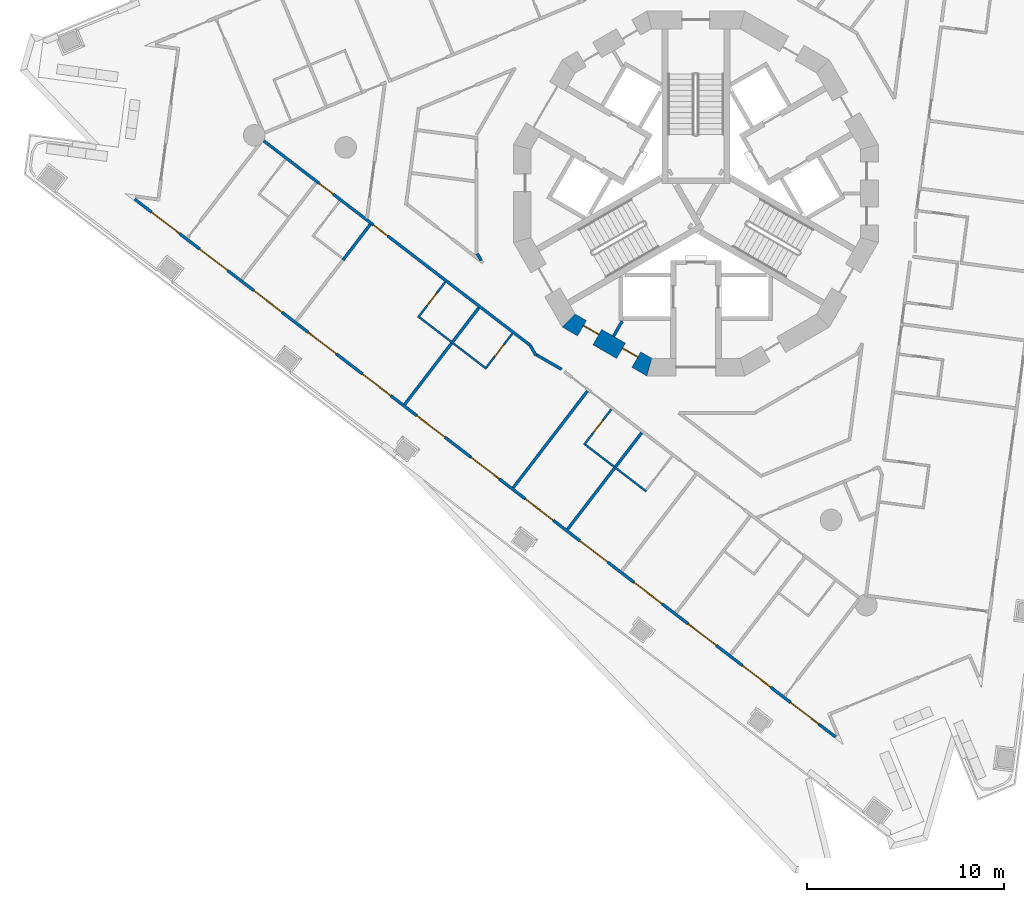
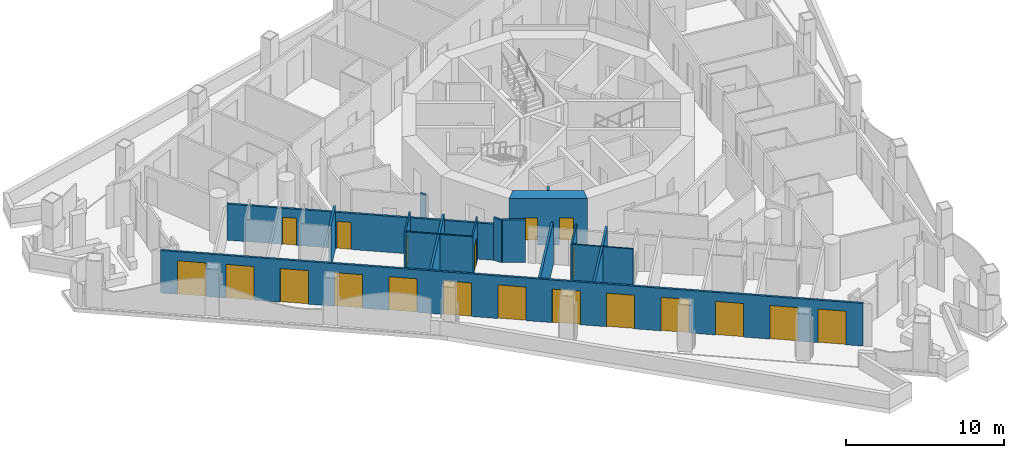
# One storey, part 2 of 19: 20 doors, 18 walls, 20 openings.
"""IFC4 building model written with IfcOpenShell, lengths in metres."""

from ifc_helpers import new_model, si_unit, direction, frame, frame_2d, origin, place, context, subcontext, project, spatial, polyline, rectangle, outline, extrude, material, layer, layer_set, type_object, element, fill, save


model = new_model("IFC4")

# Units and contexts
model_context = context("Model", 3, precision=1e-05, world=origin(), true_north=direction((0.0, 1.0)))
body_context = subcontext(model_context, "Body", "Model", "MODEL_VIEW")
ifc_project = project(units=[si_unit("LENGTHUNIT", "METRE"), si_unit("AREAUNIT", "SQUARE_METRE"), si_unit("VOLUMEUNIT", "CUBIC_METRE"), si_unit("PLANEANGLEUNIT", "RADIAN"), si_unit("MASSUNIT", "GRAM", prefix="KILO")], contexts=[model_context])

# Site, building, storey
site_placement = place(None, origin())
site = spatial("IfcSite", under=ifc_project, at=site_placement, CompositionType="ELEMENT")
building_placement = place(site_placement, origin())
building = spatial("IfcBuilding", under=site, at=building_placement, Name="Trine Commons Tower", CompositionType="ELEMENT")
storey_placement = place(building_placement, frame((0.0, 0.0, 124.199951171875)))
storey = spatial("IfcBuildingStorey", under=building, at=storey_placement, Name="L31", CompositionType="ELEMENT", Elevation=124.199951171875)

# Wall
ifc_material_1 = material(Name="Plasterboard partition on steel studs", Category="steel")
ifc_layer_1 = layer(ifc_material_1, 0.14990234375)
ifc_layer_set_1 = layer_set([ifc_layer_1], Name="Plasterboard partition on steel studs")
wall_type_1 = type_object("IfcWallType", Name="Core room partition 150 mm, EI 60", PredefinedType="PARTITIONING", material=ifc_layer_set_1)
wall_1_placement = place(storey_placement, frame((75.81396484375, 55.2490234375, 0.0), z_axis=(0.0, 0.0, 1.0), x_axis=(0.499890179513, 0.866088799389, 0.0)))
element("IfcWall", 1, at=wall_1_placement, inside=storey, type_object=wall_type_1, Name="Core room partition L31", PredefinedType="PARTITIONING", context=body_context, shape_type="SweptSolid", body=[
    extrude(rectangle(XDim=0.882080078125, YDim=0.14990234375, at=frame_2d((0.44091796875, 0.0))), origin(), (0.0, 0.0, 1.0), 3.300048828125),
])

# Wall, openings, doors
ifc_material_2 = material(Name="Aluminium-framed insulated wall panel", Category="aluminium")
ifc_layer_2 = layer(ifc_material_2, 0.14990234375)
ifc_layer_set_2 = layer_set([ifc_layer_2], Name="Aluminium-framed insulated wall panel")
wall_type_2 = type_object("IfcWallType", Name="Glazed frame wall 150, EI 60", PredefinedType="SOLIDWALL", material=ifc_layer_set_2)
wall_2_placement = place(storey_placement, frame((87.22509765625, 34.786376953125, 0.0), z_axis=(0.0, 0.0, 1.0), x_axis=(-0.793353605974, 0.608761082764, 0.0)))
wall_2 = element("IfcWall", 2, at=wall_2_placement, inside=storey, type_object=wall_type_2, Name="Glazed frame wall F3", PredefinedType="SOLIDWALL", context=body_context, shape_type="SweptSolid", body=[
    extrude(outline(polyline([(0.1494140625, 0.074951171875), (0.1494140625, -0.074951171875), (45.056884765625, -0.074951171875), (45.056884765625, 0.074951171875), (0.1494140625, 0.074951171875)])), origin(), (0.0, 0.0, 1.0), 3.300048828125),
])
opening_1_placement = place(wall_2_placement, frame((1.23876953125, 0.0, 0.0)))
opening_1 = element("IfcOpeningElement", 3, at=opening_1_placement, cuts=wall_2, Name="Opening BD-4F3-01", PredefinedType="OPENING", context=body_context, shape_type="SweptSolid", body=[
    extrude(rectangle(XDim=1.800048828125, YDim=2.60009765625, at=frame_2d((0.89990234375, 1.300048828125))), frame((0.0, 0.0849609375, 0.0), z_axis=(0.0, -1.0, 0.0), x_axis=(1.0, 0.0, 0.0)), (0.0, 0.0, 1.0), 0.169921875),
])
opening_2_placement = place(wall_2_placement, frame((4.316162109375, 0.0, 0.0)))
opening_2 = element("IfcOpeningElement", 4, at=opening_2_placement, cuts=wall_2, Name="Opening BD-4F3-02", PredefinedType="OPENING", context=body_context, shape_type="SweptSolid", body=[
    extrude(rectangle(XDim=1.800048828125, YDim=2.60009765625, at=frame_2d((0.89990234375, 1.300048828125))), frame((0.0, 0.0849609375, 0.0), z_axis=(0.0, -1.0, 0.0), x_axis=(1.0, 0.0, 0.0)), (0.0, 0.0, 1.0), 0.169921875),
])
opening_3_placement = place(wall_2_placement, frame((7.79345703125, 0.0, 0.0)))
opening_3 = element("IfcOpeningElement", 5, at=opening_3_placement, cuts=wall_2, Name="Opening BD-4F3-03", PredefinedType="OPENING", context=body_context, shape_type="SweptSolid", body=[
    extrude(rectangle(XDim=1.800048828125, YDim=2.60009765625, at=frame_2d((0.89990234375, 1.300048828125))), frame((0.0, 0.0849609375, 0.0), z_axis=(0.0, -1.0, 0.0), x_axis=(1.0, 0.0, 0.0)), (0.0, 0.0, 1.0), 0.169921875),
])
opening_4_placement = place(wall_2_placement, frame((11.27099609375, 0.0, 0.0)))
opening_4 = element("IfcOpeningElement", 6, at=opening_4_placement, cuts=wall_2, Name="Opening BD-4F3-04", PredefinedType="OPENING", context=body_context, shape_type="SweptSolid", body=[
    extrude(rectangle(XDim=1.800048828125, YDim=2.60009765625, at=frame_2d((0.89990234375, 1.300048828125))), frame((0.0, 0.0849609375, 0.0), z_axis=(0.0, -1.0, 0.0), x_axis=(1.0, 0.0, 0.0)), (0.0, 0.0, 1.0), 0.169921875),
])
opening_5_placement = place(wall_2_placement, frame((14.748291015625, 0.0, 0.0)))
opening_5 = element("IfcOpeningElement", 7, at=opening_5_placement, cuts=wall_2, Name="Opening BD-4F3-05", PredefinedType="OPENING", context=body_context, shape_type="SweptSolid", body=[
    extrude(rectangle(XDim=1.800048828125, YDim=2.60009765625, at=frame_2d((0.89990234375, 1.300048828125))), frame((0.0, 0.0849609375, 0.0), z_axis=(0.0, -1.0, 0.0), x_axis=(1.0, 0.0, 0.0)), (0.0, 0.0, 1.0), 0.169921875),
])
opening_6_placement = place(wall_2_placement, frame((18.2255859375, 0.0, 0.0)))
opening_6 = element("IfcOpeningElement", 8, at=opening_6_placement, cuts=wall_2, Name="Opening BD-4F3-06", PredefinedType="OPENING", context=body_context, shape_type="SweptSolid", body=[
    extrude(rectangle(XDim=1.800048828125, YDim=2.60009765625, at=frame_2d((0.89990234375, 1.300048828125))), frame((0.0, 0.0849609375, 0.0), z_axis=(0.0, -1.0, 0.0), x_axis=(1.0, 0.0, 0.0)), (0.0, 0.0, 1.0), 0.169921875),
])
opening_7_placement = place(wall_2_placement, frame((21.703125, 0.0, 0.0)))
opening_7 = element("IfcOpeningElement", 9, at=opening_7_placement, cuts=wall_2, Name="Opening BD-4F3-07", PredefinedType="OPENING", context=body_context, shape_type="SweptSolid", body=[
    extrude(rectangle(XDim=1.800048828125, YDim=2.60009765625, at=frame_2d((0.89990234375, 1.300048828125))), frame((0.0, 0.0849609375, 0.0), z_axis=(0.0, -1.0, 0.0), x_axis=(1.0, 0.0, 0.0)), (0.0, 0.0, 1.0), 0.169921875),
])
opening_8_placement = place(wall_2_placement, frame((25.180419921875, 0.0, 0.0)))
opening_8 = element("IfcOpeningElement", 10, at=opening_8_placement, cuts=wall_2, Name="Opening BD-4F3-08", PredefinedType="OPENING", context=body_context, shape_type="SweptSolid", body=[
    extrude(rectangle(XDim=1.800048828125, YDim=2.60009765625, at=frame_2d((0.89990234375, 1.300048828125))), frame((0.0, 0.0849609375, 0.0), z_axis=(0.0, -1.0, 0.0), x_axis=(1.0, 0.0, 0.0)), (0.0, 0.0, 1.0), 0.169921875),
])
opening_9_placement = place(wall_2_placement, frame((28.657958984375, 0.0, 0.0)))
opening_9 = element("IfcOpeningElement", 11, at=opening_9_placement, cuts=wall_2, Name="Opening BD-4F3-09", PredefinedType="OPENING", context=body_context, shape_type="SweptSolid", body=[
    extrude(rectangle(XDim=1.800048828125, YDim=2.60009765625, at=frame_2d((0.89990234375, 1.300048828125))), frame((0.0, 0.0849609375, 0.0), z_axis=(0.0, -1.0, 0.0), x_axis=(1.0, 0.0, 0.0)), (0.0, 0.0, 1.0), 0.169921875),
])
opening_10_placement = place(wall_2_placement, frame((32.13525390625, 0.0, 0.0)))
opening_10 = element("IfcOpeningElement", 12, at=opening_10_placement, cuts=wall_2, Name="Opening BD-4F3-10", PredefinedType="OPENING", context=body_context, shape_type="SweptSolid", body=[
    extrude(rectangle(XDim=1.800048828125, YDim=2.60009765625, at=frame_2d((0.89990234375, 1.300048828125))), frame((0.0, 0.0849609375, 0.0), z_axis=(0.0, -1.0, 0.0), x_axis=(1.0, 0.0, 0.0)), (0.0, 0.0, 1.0), 0.169921875),
])
opening_11_placement = place(wall_2_placement, frame((35.61279296875, 0.0, 0.0)))
opening_11 = element("IfcOpeningElement", 13, at=opening_11_placement, cuts=wall_2, Name="Opening BD-4F3-11", PredefinedType="OPENING", context=body_context, shape_type="SweptSolid", body=[
    extrude(rectangle(XDim=1.800048828125, YDim=2.60009765625, at=frame_2d((0.89990234375, 1.300048828125))), frame((0.0, 0.0849609375, 0.0), z_axis=(0.0, -1.0, 0.0), x_axis=(1.0, 0.0, 0.0)), (0.0, 0.0, 1.0), 0.169921875),
])
opening_12_placement = place(wall_2_placement, frame((39.090087890625, 0.0, 0.0)))
opening_12 = element("IfcOpeningElement", 14, at=opening_12_placement, cuts=wall_2, Name="Opening BD-4F3-12", PredefinedType="OPENING", context=body_context, shape_type="SweptSolid", body=[
    extrude(rectangle(XDim=1.800048828125, YDim=2.60009765625, at=frame_2d((0.89990234375, 1.300048828125))), frame((0.0, 0.0849609375, 0.0), z_axis=(0.0, -1.0, 0.0), x_axis=(1.0, 0.0, 0.0)), (0.0, 0.0, 1.0), 0.169921875),
])
opening_13_placement = place(wall_2_placement, frame((42.16748046875, 0.0, 0.0)))
opening_13 = element("IfcOpeningElement", 15, at=opening_13_placement, cuts=wall_2, Name="Opening BD-4F3-13", PredefinedType="OPENING", context=body_context, shape_type="SweptSolid", body=[
    extrude(rectangle(XDim=1.800048828125, YDim=2.60009765625, at=frame_2d((0.89990234375, 1.300048828125))), frame((0.0, 0.0849609375, 0.0), z_axis=(0.0, -1.0, 0.0), x_axis=(1.0, 0.0, 0.0)), (0.0, 0.0, 1.0), 0.169921875),
])
ifc_material_3 = material(Name="Anodised aluminium frame with double glazing", Category="aluminium")
door_type_1 = type_object("IfcDoorType", Name="Sliding loggia door 1800x2600", OperationType="SLIDING_TO_LEFT", PredefinedType="DOOR", material=ifc_material_3)
door_1_placement = place(opening_1_placement, origin())
door_1 = element("IfcDoor", 16, at=door_1_placement, inside=storey, type_object=door_type_1, Name="Loggia door F3 1", OperationType="SLIDING_TO_LEFT", OverallHeight=2.60009765625, OverallWidth=1.800048828125, PredefinedType="DOOR", context=body_context, shape_type="SweptSolid", body=[
    extrude(rectangle(XDim=1.800048828125, YDim=2.60009765625, at=frame_2d((0.89990234375, 1.300048828125))), frame((0.0, 0.02490234375, 0.0), z_axis=(0.0, -1.0, 0.0), x_axis=(1.0, 0.0, 0.0)), (0.0, 0.0, 1.0), 0.050048828125),
])
fill(opening_1, door_1)
door_2_placement = place(opening_2_placement, origin())
door_2 = element("IfcDoor", 17, at=door_2_placement, inside=storey, type_object=door_type_1, Name="Loggia door F3 2", OperationType="SLIDING_TO_LEFT", OverallHeight=2.60009765625, OverallWidth=1.800048828125, PredefinedType="DOOR", context=body_context, shape_type="SweptSolid", body=[
    extrude(rectangle(XDim=1.800048828125, YDim=2.60009765625, at=frame_2d((0.89990234375, 1.300048828125))), frame((0.0, 0.02490234375, 0.0), z_axis=(0.0, -1.0, 0.0), x_axis=(1.0, 0.0, 0.0)), (0.0, 0.0, 1.0), 0.050048828125),
])
fill(opening_2, door_2)
door_3_placement = place(opening_3_placement, origin())
door_3 = element("IfcDoor", 18, at=door_3_placement, inside=storey, type_object=door_type_1, Name="Loggia door F3 3", OperationType="SLIDING_TO_LEFT", OverallHeight=2.60009765625, OverallWidth=1.800048828125, PredefinedType="DOOR", context=body_context, shape_type="SweptSolid", body=[
    extrude(rectangle(XDim=1.800048828125, YDim=2.60009765625, at=frame_2d((0.89990234375, 1.300048828125))), frame((0.0, 0.02490234375, 0.0), z_axis=(0.0, -1.0, 0.0), x_axis=(1.0, 0.0, 0.0)), (0.0, 0.0, 1.0), 0.050048828125),
])
fill(opening_3, door_3)
door_4_placement = place(opening_4_placement, origin())
door_4 = element("IfcDoor", 19, at=door_4_placement, inside=storey, type_object=door_type_1, Name="Loggia door F3 4", OperationType="SLIDING_TO_LEFT", OverallHeight=2.60009765625, OverallWidth=1.800048828125, PredefinedType="DOOR", context=body_context, shape_type="SweptSolid", body=[
    extrude(rectangle(XDim=1.800048828125, YDim=2.60009765625, at=frame_2d((0.89990234375, 1.300048828125))), frame((0.0, 0.02490234375, 0.0), z_axis=(0.0, -1.0, 0.0), x_axis=(1.0, 0.0, 0.0)), (0.0, 0.0, 1.0), 0.050048828125),
])
fill(opening_4, door_4)
door_5_placement = place(opening_5_placement, origin())
door_5 = element("IfcDoor", 20, at=door_5_placement, inside=storey, type_object=door_type_1, Name="Loggia door F3 5", OperationType="SLIDING_TO_LEFT", OverallHeight=2.60009765625, OverallWidth=1.800048828125, PredefinedType="DOOR", context=body_context, shape_type="SweptSolid", body=[
    extrude(rectangle(XDim=1.800048828125, YDim=2.60009765625, at=frame_2d((0.89990234375, 1.300048828125))), frame((0.0, 0.02490234375, 0.0), z_axis=(0.0, -1.0, 0.0), x_axis=(1.0, 0.0, 0.0)), (0.0, 0.0, 1.0), 0.050048828125),
])
fill(opening_5, door_5)
door_6_placement = place(opening_6_placement, origin())
door_6 = element("IfcDoor", 21, at=door_6_placement, inside=storey, type_object=door_type_1, Name="Loggia door F3 6", OperationType="SLIDING_TO_LEFT", OverallHeight=2.60009765625, OverallWidth=1.800048828125, PredefinedType="DOOR", context=body_context, shape_type="SweptSolid", body=[
    extrude(rectangle(XDim=1.800048828125, YDim=2.60009765625, at=frame_2d((0.89990234375, 1.300048828125))), frame((0.0, 0.02490234375, 0.0), z_axis=(0.0, -1.0, 0.0), x_axis=(1.0, 0.0, 0.0)), (0.0, 0.0, 1.0), 0.050048828125),
])
fill(opening_6, door_6)
door_7_placement = place(opening_7_placement, origin())
door_7 = element("IfcDoor", 22, at=door_7_placement, inside=storey, type_object=door_type_1, Name="Loggia door F3 7", OperationType="SLIDING_TO_LEFT", OverallHeight=2.60009765625, OverallWidth=1.800048828125, PredefinedType="DOOR", context=body_context, shape_type="SweptSolid", body=[
    extrude(rectangle(XDim=1.800048828125, YDim=2.60009765625, at=frame_2d((0.89990234375, 1.300048828125))), frame((0.0, 0.02490234375, 0.0), z_axis=(0.0, -1.0, 0.0), x_axis=(1.0, 0.0, 0.0)), (0.0, 0.0, 1.0), 0.050048828125),
])
fill(opening_7, door_7)
door_8_placement = place(opening_8_placement, origin())
door_8 = element("IfcDoor", 23, at=door_8_placement, inside=storey, type_object=door_type_1, Name="Loggia door F3 8", OperationType="SLIDING_TO_LEFT", OverallHeight=2.60009765625, OverallWidth=1.800048828125, PredefinedType="DOOR", context=body_context, shape_type="SweptSolid", body=[
    extrude(rectangle(XDim=1.800048828125, YDim=2.60009765625, at=frame_2d((0.89990234375, 1.300048828125))), frame((0.0, 0.02490234375, 0.0), z_axis=(0.0, -1.0, 0.0), x_axis=(1.0, 0.0, 0.0)), (0.0, 0.0, 1.0), 0.050048828125),
])
fill(opening_8, door_8)
door_9_placement = place(opening_9_placement, origin())
door_9 = element("IfcDoor", 24, at=door_9_placement, inside=storey, type_object=door_type_1, Name="Loggia door F3 9", OperationType="SLIDING_TO_LEFT", OverallHeight=2.60009765625, OverallWidth=1.800048828125, PredefinedType="DOOR", context=body_context, shape_type="SweptSolid", body=[
    extrude(rectangle(XDim=1.800048828125, YDim=2.60009765625, at=frame_2d((0.89990234375, 1.300048828125))), frame((0.0, 0.02490234375, 0.0), z_axis=(0.0, -1.0, 0.0), x_axis=(1.0, 0.0, 0.0)), (0.0, 0.0, 1.0), 0.050048828125),
])
fill(opening_9, door_9)
door_10_placement = place(opening_10_placement, origin())
door_10 = element("IfcDoor", 25, at=door_10_placement, inside=storey, type_object=door_type_1, Name="Loggia door F3 10", OperationType="SLIDING_TO_LEFT", OverallHeight=2.60009765625, OverallWidth=1.800048828125, PredefinedType="DOOR", context=body_context, shape_type="SweptSolid", body=[
    extrude(rectangle(XDim=1.800048828125, YDim=2.60009765625, at=frame_2d((0.89990234375, 1.300048828125))), frame((0.0, 0.02490234375, 0.0), z_axis=(0.0, -1.0, 0.0), x_axis=(1.0, 0.0, 0.0)), (0.0, 0.0, 1.0), 0.050048828125),
])
fill(opening_10, door_10)
door_11_placement = place(opening_11_placement, origin())
door_11 = element("IfcDoor", 26, at=door_11_placement, inside=storey, type_object=door_type_1, Name="Loggia door F3 11", OperationType="SLIDING_TO_LEFT", OverallHeight=2.60009765625, OverallWidth=1.800048828125, PredefinedType="DOOR", context=body_context, shape_type="SweptSolid", body=[
    extrude(rectangle(XDim=1.800048828125, YDim=2.60009765625, at=frame_2d((0.89990234375, 1.300048828125))), frame((0.0, 0.02490234375, 0.0), z_axis=(0.0, -1.0, 0.0), x_axis=(1.0, 0.0, 0.0)), (0.0, 0.0, 1.0), 0.050048828125),
])
fill(opening_11, door_11)
door_12_placement = place(opening_12_placement, origin())
door_12 = element("IfcDoor", 27, at=door_12_placement, inside=storey, type_object=door_type_1, Name="Loggia door F3 12", OperationType="SLIDING_TO_LEFT", OverallHeight=2.60009765625, OverallWidth=1.800048828125, PredefinedType="DOOR", context=body_context, shape_type="SweptSolid", body=[
    extrude(rectangle(XDim=1.800048828125, YDim=2.60009765625, at=frame_2d((0.89990234375, 1.300048828125))), frame((0.0, 0.02490234375, 0.0), z_axis=(0.0, -1.0, 0.0), x_axis=(1.0, 0.0, 0.0)), (0.0, 0.0, 1.0), 0.050048828125),
])
fill(opening_12, door_12)
door_13_placement = place(opening_13_placement, origin())
door_13 = element("IfcDoor", 28, at=door_13_placement, inside=storey, type_object=door_type_1, Name="Loggia door F3 13", OperationType="SLIDING_TO_LEFT", OverallHeight=2.60009765625, OverallWidth=1.800048828125, PredefinedType="DOOR", context=body_context, shape_type="SweptSolid", body=[
    extrude(rectangle(XDim=1.800048828125, YDim=2.60009765625, at=frame_2d((0.89990234375, 1.300048828125))), frame((0.0, 0.02490234375, 0.0), z_axis=(0.0, -1.0, 0.0), x_axis=(1.0, 0.0, 0.0)), (0.0, 0.0, 1.0), 0.050048828125),
])
fill(opening_13, door_13)

ifc_material_4 = material(Name="Concrete C70/85", Category="concrete")
ifc_layer_3 = layer(ifc_material_4, 0.89990234375)
ifc_layer_set_3 = layer_set([ifc_layer_3], Name="Concrete C70/85")
wall_type_3 = type_object("IfcWallType", Name="RC shear wall 900 mm, C70/85", PredefinedType="SHEAR", material=ifc_layer_set_3)
wall_3_placement = place(storey_placement, frame((73.436767578125, 56.1015625, 0.0), z_axis=(0.0, 0.0, 1.0), x_axis=(0.866003133579, -0.500038571144, 0.0)))
wall_3 = element("IfcWall", 29, at=wall_3_placement, inside=storey, type_object=wall_type_3, Name="Core wall CWD-09 L31", PredefinedType="SHEAR", context=body_context, shape_type="SweptSolid", body=[
    extrude(outline(polyline([(0.0, -0.449951171875), (4.96923828125, -0.449951171875), (4.72802734375, 0.449951171875), (0.2412109375, 0.449951171875), (0.0, -0.449951171875)])), origin(), (0.0, 0.0, 1.0), 3.60009765625),
])
opening_14_placement = place(wall_3_placement, frame((0.89599609375, 0.0, 0.0)))
opening_14 = element("IfcOpeningElement", 30, at=opening_14_placement, cuts=wall_3, Name="Opening K10.16", PredefinedType="OPENING", context=body_context, shape_type="SweptSolid", body=[
    extrude(rectangle(XDim=0.89990234375, YDim=2.10009765625, at=frame_2d((0.449951171875, 1.050048828125))), frame((0.0, 0.4599609375, 0.0), z_axis=(0.0, -1.0, 0.0), x_axis=(1.0, 0.0, 0.0)), (0.0, 0.0, 1.0), 0.919921875),
])
opening_15_placement = place(wall_3_placement, frame((3.18505859375, 0.0, 0.0)))
opening_15 = element("IfcOpeningElement", 31, at=opening_15_placement, cuts=wall_3, Name="Opening K10.17", PredefinedType="OPENING", context=body_context, shape_type="SweptSolid", body=[
    extrude(rectangle(XDim=0.89990234375, YDim=2.10009765625, at=frame_2d((0.449951171875, 1.050048828125))), frame((0.0, 0.4599609375, 0.0), z_axis=(0.0, -1.0, 0.0), x_axis=(1.0, 0.0, 0.0)), (0.0, 0.0, 1.0), 0.919921875),
])
ifc_material_5 = material(Name="Steel door leaf, fire-rated", Category="steel")
door_type_2 = type_object("IfcDoorType", Name="Core room door, single leaf 900 x 2100, FD30S", OperationType="SINGLE_SWING_LEFT", PredefinedType="DOOR", material=ifc_material_5)
door_14_placement = place(opening_14_placement, origin())
door_14 = element("IfcDoor", 32, at=door_14_placement, inside=storey, type_object=door_type_2, Name="Door to Linen store L31", OperationType="SINGLE_SWING_LEFT", OverallHeight=2.10009765625, OverallWidth=0.89990234375, PredefinedType="DOOR", context=body_context, shape_type="SweptSolid", body=[
    extrude(rectangle(XDim=0.89990234375, YDim=2.10009765625, at=frame_2d((0.449951171875, 1.050048828125))), frame((0.0, 0.1748046875, 0.0), z_axis=(0.0, -1.0, 0.0), x_axis=(1.0, 0.0, 0.0)), (0.0, 0.0, 1.0), 0.050048828125),
])
fill(opening_14, door_14)
door_15_placement = place(opening_15_placement, origin())
door_15 = element("IfcDoor", 33, at=door_15_placement, inside=storey, type_object=door_type_2, Name="Door to Pantry L31", OperationType="SINGLE_SWING_RIGHT", OverallHeight=2.10009765625, OverallWidth=0.89990234375, PredefinedType="DOOR", context=body_context, shape_type="SweptSolid", body=[
    extrude(rectangle(XDim=0.89990234375, YDim=2.10009765625, at=frame_2d((0.449951171875, 1.050048828125))), frame((0.0, 0.1748046875, 0.0), z_axis=(0.0, -1.0, 0.0), x_axis=(1.0, 0.0, 0.0)), (0.0, 0.0, 1.0), 0.050048828125),
])
fill(opening_15, door_15)

ifc_material_6 = material(Name="Gypsum plasterboard on steel stud", Category="steel")
ifc_layer_4 = layer(ifc_material_6, 0.14990234375)
ifc_layer_set_4 = layer_set([ifc_layer_4], Name="Gypsum plasterboard on steel stud")
wall_type_4 = type_object("IfcWallType", Name="Unit and corridor wall 150 mm, EI 60", PredefinedType="PARTITIONING", material=ifc_layer_set_4)
wall_4_placement = place(storey_placement, frame((58.04150390625, 65.17626953125, 0.0), z_axis=(0.0, 0.0, 1.0), x_axis=(0.793390311924, -0.608713243609, 0.0)))
wall_4 = element("IfcWall", 34, at=wall_4_placement, inside=storey, type_object=wall_type_4, Name="Partition 006", PredefinedType="PARTITIONING", context=body_context, shape_type="SweptSolid", body=[
    extrude(rectangle(XDim=17.064208984375, YDim=0.14990234375, at=frame_2d((8.5322265625, 0.0))), origin(), (0.0, 0.0, 1.0), 2.800048828125),
])
opening_16_placement = place(wall_4_placement, frame((7.02880859375, 0.0, 0.0)))
opening_16 = element("IfcOpeningElement", 35, at=opening_16_placement, cuts=wall_4, Name="Opening D-4A29", PredefinedType="OPENING", context=body_context, shape_type="SweptSolid", body=[
    extrude(rectangle(XDim=0.89990234375, YDim=2.10009765625, at=frame_2d((0.449951171875, 1.050048828125))), frame((0.0, 0.0849609375, 0.0), z_axis=(0.0, -1.0, 0.0), x_axis=(1.0, 0.0, 0.0)), (0.0, 0.0, 1.0), 0.169921875),
])
opening_17_placement = place(wall_4_placement, frame((3.55126953125, 0.0, 0.0)))
opening_17 = element("IfcOpeningElement", 36, at=opening_17_placement, cuts=wall_4, Name="Opening D-4A30", PredefinedType="OPENING", context=body_context, shape_type="SweptSolid", body=[
    extrude(rectangle(XDim=0.89990234375, YDim=2.10009765625, at=frame_2d((0.449951171875, 1.050048828125))), frame((0.0, 0.0849609375, 0.0), z_axis=(0.0, -1.0, 0.0), x_axis=(1.0, 0.0, 0.0)), (0.0, 0.0, 1.0), 0.169921875),
])
ifc_material_7 = material(Name="Timber fire door set", Category="wood")
door_type_3 = type_object("IfcDoorType", Name="Bedroom door 900 x 2100, FD30S", OperationType="NOTDEFINED", PredefinedType="DOOR", material=ifc_material_7)
door_16_placement = place(opening_16_placement, frame((0.89990234375, 0.0, 0.0), z_axis=(0.0, 0.0, 1.0), x_axis=(-1.0, 0.0, 0.0)))
door_16 = element("IfcDoor", 37, at=door_16_placement, inside=storey, type_object=door_type_3, Name="Door D-4A29", OperationType="SINGLE_SWING_RIGHT", OverallHeight=2.10009765625, OverallWidth=0.89990234375, PredefinedType="DOOR", context=body_context, shape_type="SweptSolid", body=[
    extrude(rectangle(XDim=0.89990234375, YDim=2.10009765625, at=frame_2d((0.449951171875, 1.050048828125))), frame((0.0, 0.02490234375, 0.0), z_axis=(0.0, -1.0, 0.0), x_axis=(1.0, 0.0, 0.0)), (0.0, 0.0, 1.0), 0.050048828125),
])
fill(opening_16, door_16)
door_17_placement = place(opening_17_placement, frame((0.89990234375, 0.0, 0.0), z_axis=(0.0, 0.0, 1.0), x_axis=(-1.0, 0.0, 0.0)))
door_17 = element("IfcDoor", 38, at=door_17_placement, inside=storey, type_object=door_type_3, Name="Door D-4A30", OperationType="SINGLE_SWING_RIGHT", OverallHeight=2.10009765625, OverallWidth=0.89990234375, PredefinedType="DOOR", context=body_context, shape_type="SweptSolid", body=[
    extrude(rectangle(XDim=0.89990234375, YDim=2.10009765625, at=frame_2d((0.449951171875, 1.050048828125))), frame((0.0, 0.02490234375, 0.0), z_axis=(0.0, -1.0, 0.0), x_axis=(1.0, 0.0, 0.0)), (0.0, 0.0, 1.0), 0.050048828125),
])
fill(opening_17, door_17)

# Walls
wall_5_placement = place(storey_placement, frame((62.066650390625, 59.121337890625, 0.0), z_axis=(0.0, 0.0, 1.0), x_axis=(0.608570992326, 0.793499431191, 0.0)))
element("IfcWall", 39, at=wall_5_placement, inside=storey, type_object=wall_type_4, Name="Partition 018", PredefinedType="PARTITIONING", context=body_context, shape_type="SweptSolid", body=[
    extrude(rectangle(XDim=2.278564453125, YDim=0.14990234375, at=frame_2d((1.13916015625, 0.0))), origin(), (0.0, 0.0, 1.0), 3.300048828125),
])
wall_6_placement = place(storey_placement, frame((65.200439453125, 51.78076171875, 0.0), z_axis=(0.0, 0.0, 1.0), x_axis=(0.608783231907, 0.793336609863, 0.0)))
element("IfcWall", 40, at=wall_6_placement, inside=storey, type_object=wall_type_4, Name="Partition 025", PredefinedType="PARTITIONING", context=body_context, shape_type="SweptSolid", body=[
    extrude(rectangle(XDim=3.919677734375, YDim=0.14990234375, at=frame_2d((1.9599609375, 0.0))), origin(), (0.0, 0.0, 1.0), 3.300048828125),
])
wall_7_placement = place(storey_placement, frame((67.6474609375, 54.9697265625, 0.0), z_axis=(0.0, 0.0, 1.0), x_axis=(0.608674216197, 0.79342025342, 0.0)))
element("IfcWall", 41, at=wall_7_placement, inside=storey, type_object=wall_type_4, Name="Partition 036", PredefinedType="PARTITIONING", context=body_context, shape_type="SweptSolid", body=[
    extrude(rectangle(XDim=2.17529296875, YDim=0.14990234375, at=frame_2d((1.087646484375, 0.0))), origin(), (0.0, 0.0, 1.0), 3.300048828125),
])
wall_8_placement = place(storey_placement, frame((68.889404296875, 59.447998046875, 0.0), z_axis=(0.0, 0.0, 1.0), x_axis=(0.499481060725, -0.866324806281, 0.0)))
element("IfcWall", 42, at=wall_8_placement, inside=storey, type_object=wall_type_4, Name="Partition 039", PredefinedType="PARTITIONING", context=body_context, shape_type="SweptSolid", body=[
    extrude(rectangle(XDim=0.40869140625, YDim=0.14990234375, at=frame_2d((0.204345703125, 0.0))), origin(), (0.0, 0.0, 1.0), 3.300048828125),
])
wall_9_placement = place(storey_placement, frame((70.71826171875, 47.547607421875, 0.0), z_axis=(0.0, 0.0, 1.0), x_axis=(0.608712047114, 0.79339122991, 0.0)))
element("IfcWall", 43, at=wall_9_placement, inside=storey, type_object=wall_type_4, Name="Partition 042", PredefinedType="PARTITIONING", context=body_context, shape_type="SweptSolid", body=[
    extrude(rectangle(XDim=6.193359375, YDim=0.14990234375, at=frame_2d((3.0966796875, 0.0))), origin(), (0.0, 0.0, 1.0), 3.300048828125),
])
wall_10_placement = place(storey_placement, frame((71.575927734375, 54.794921875, 0.0), z_axis=(0.0, 0.0, 1.0), x_axis=(0.499675599625, -0.866212615435, 0.0)))
element("IfcWall", 44, at=wall_10_placement, inside=storey, type_object=wall_type_4, Name="Partition 045", PredefinedType="PARTITIONING", context=body_context, shape_type="SweptSolid", body=[
    extrude(rectangle(XDim=0.6015625, YDim=0.14990234375, at=frame_2d((0.30078125, 0.0))), origin(), (0.0, 0.0, 1.0), 3.300048828125),
])
wall_11_placement = place(storey_placement, frame((71.904052734375, 54.301513671875, 0.0), z_axis=(0.0, 0.0, 1.0), x_axis=(0.866086395302, -0.499894344709, 0.0)))
element("IfcWall", 45, at=wall_11_placement, inside=storey, type_object=wall_type_4, Name="Partition 047", PredefinedType="PARTITIONING", context=body_context, shape_type="SweptSolid", body=[
    extrude(rectangle(XDim=1.475341796875, YDim=0.14990234375, at=frame_2d((0.73779296875, 0.0))), origin(), (0.0, 0.0, 1.0), 3.300048828125),
])
wall_12_placement = place(storey_placement, frame((73.476318359375, 45.4306640625, 0.0), z_axis=(0.0, 0.0, 1.0), x_axis=(0.608903577747, 0.793244245493, 0.0)))
element("IfcWall", 46, at=wall_12_placement, inside=storey, type_object=wall_type_4, Name="Partition 050", PredefinedType="PARTITIONING", context=body_context, shape_type="SweptSolid", body=[
    extrude(rectangle(XDim=3.9189453125, YDim=0.14990234375, at=frame_2d((1.95947265625, 0.0))), origin(), (0.0, 0.0, 1.0), 3.300048828125),
])
wall_13_placement = place(storey_placement, frame((75.92333984375, 48.61865234375, 0.0), z_axis=(0.0, 0.0, 1.0), x_axis=(0.608674216197, 0.79342025342, 0.0)))
element("IfcWall", 47, at=wall_13_placement, inside=storey, type_object=wall_type_4, Name="Partition 056", PredefinedType="PARTITIONING", context=body_context, shape_type="SweptSolid", body=[
    extrude(rectangle(XDim=2.17529296875, YDim=0.14990234375, at=frame_2d((1.087646484375, 0.0))), origin(), (0.0, 0.0, 1.0), 3.300048828125),
])

# Wall, opening, door
ifc_layer_5 = layer(ifc_material_6, 0.10009765625)
ifc_layer_set_5 = layer_set([ifc_layer_5], Name="Gypsum plasterboard on steel stud")
wall_type_5 = type_object("IfcWallType", Name="Unit partition 100 mm, no rating", PredefinedType="PARTITIONING", material=ifc_layer_set_5)
wall_14_placement = place(storey_placement, frame((65.880615234375, 56.19921875, 0.0), z_axis=(0.0, 0.0, 1.0), x_axis=(0.608652294224, 0.793437070432, 0.0)))
wall_14 = element("IfcWall", 48, at=wall_14_placement, inside=storey, type_object=wall_type_5, Name="Partition 033", PredefinedType="PARTITIONING", context=body_context, shape_type="SweptSolid", body=[
    extrude(rectangle(XDim=2.275146484375, YDim=0.10009765625, at=frame_2d((1.1376953125, 0.0))), origin(), (0.0, 0.0, 1.0), 3.300048828125),
])
opening_18_placement = place(wall_14_placement, frame((0.762451171875, 0.0, 0.0)))
opening_18 = element("IfcOpeningElement", 49, at=opening_18_placement, cuts=wall_14, Name="Opening D-4A56", PredefinedType="OPENING", context=body_context, shape_type="SweptSolid", body=[
    extrude(rectangle(XDim=0.800048828125, YDim=2.10009765625, at=frame_2d((0.39990234375, 1.050048828125))), frame((0.0, 0.06005859375, 0.0), z_axis=(0.0, -1.0, 0.0), x_axis=(1.0, 0.0, 0.0)), (0.0, 0.0, 1.0), 0.1201171875),
])
ifc_material_8 = material(Name="Painted timber", Category="wood")
door_type_4 = type_object("IfcDoorType", Name="Internal door 800 x 2100, NOT RATED", OperationType="NOTDEFINED", PredefinedType="DOOR", material=ifc_material_8)
door_18_placement = place(opening_18_placement, origin())
door_18 = element("IfcDoor", 50, at=door_18_placement, inside=storey, type_object=door_type_4, Name="Door D-4A56", OperationType="SINGLE_SWING_RIGHT", OverallHeight=2.10009765625, OverallWidth=0.800048828125, PredefinedType="DOOR", context=body_context, shape_type="SweptSolid", body=[
    extrude(rectangle(XDim=0.800048828125, YDim=2.10009765625, at=frame_2d((0.39990234375, 1.050048828125))), frame((0.0, 0.02490234375, 0.0), z_axis=(0.0, -1.0, 0.0), x_axis=(1.0, 0.0, 0.0)), (0.0, 0.0, 1.0), 0.050048828125),
])
fill(opening_18, door_18)

# Wall
wall_15_placement = place(storey_placement, frame((65.95068359375, 56.20849609375, 0.0), z_axis=(0.0, 0.0, 1.0), x_axis=(0.793301035436, -0.60882958796, 0.0)))
element("IfcWall", 51, at=wall_15_placement, inside=storey, type_object=wall_type_5, Name="Partition 034", PredefinedType="PARTITIONING", context=body_context, shape_type="SweptSolid", body=[
    extrude(rectangle(XDim=4.2998046875, YDim=0.10009765625, at=frame_2d((2.14990234375, 0.0))), origin(), (0.0, 0.0, 1.0), 3.300048828125),
])

# Wall, opening, door
wall_16_placement = place(storey_placement, frame((69.352294921875, 53.66064453125, 0.0), z_axis=(0.0, 0.0, 1.0), x_axis=(0.608744865415, 0.793366049709, 0.0)))
wall_16 = element("IfcWall", 52, at=wall_16_placement, inside=storey, type_object=wall_type_5, Name="Partition 041", PredefinedType="PARTITIONING", context=body_context, shape_type="SweptSolid", body=[
    extrude(rectangle(XDim=2.17529296875, YDim=0.10009765625, at=frame_2d((1.087646484375, 0.0))), origin(), (0.0, 0.0, 1.0), 3.300048828125),
])
opening_19_placement = place(wall_16_placement, frame((0.6875, 0.0, 0.0)))
opening_19 = element("IfcOpeningElement", 53, at=opening_19_placement, cuts=wall_16, Name="Opening D-4A55", PredefinedType="OPENING", context=body_context, shape_type="SweptSolid", body=[
    extrude(rectangle(XDim=0.800048828125, YDim=2.10009765625, at=frame_2d((0.39990234375, 1.050048828125))), frame((0.0, 0.06005859375, 0.0), z_axis=(0.0, -1.0, 0.0), x_axis=(1.0, 0.0, 0.0)), (0.0, 0.0, 1.0), 0.1201171875),
])
door_19_placement = place(opening_19_placement, frame((0.800048828125, 0.0, 0.0), z_axis=(0.0, 0.0, 1.0), x_axis=(-1.0, 0.0, 0.0)))
door_19 = element("IfcDoor", 54, at=door_19_placement, inside=storey, type_object=door_type_4, Name="Door D-4A55", OperationType="SINGLE_SWING_LEFT", OverallHeight=2.10009765625, OverallWidth=0.800048828125, PredefinedType="DOOR", context=body_context, shape_type="SweptSolid", body=[
    extrude(rectangle(XDim=0.800048828125, YDim=2.10009765625, at=frame_2d((0.39990234375, 1.050048828125))), frame((0.0, 0.02490234375, 0.0), z_axis=(0.0, -1.0, 0.0), x_axis=(1.0, 0.0, 0.0)), (0.0, 0.0, 1.0), 0.050048828125),
])
fill(opening_19, door_19)

wall_17_placement = place(storey_placement, frame((74.315673828125, 49.726318359375, 0.0), z_axis=(0.0, 0.0, 1.0), x_axis=(0.608652294224, 0.793437070432, 0.0)))
wall_17 = element("IfcWall", 55, at=wall_17_placement, inside=storey, type_object=wall_type_5, Name="Partition 052", PredefinedType="PARTITIONING", context=body_context, shape_type="SweptSolid", body=[
    extrude(rectangle(XDim=2.275146484375, YDim=0.10009765625, at=frame_2d((1.1376953125, 0.0))), origin(), (0.0, 0.0, 1.0), 3.300048828125),
])
opening_20_placement = place(wall_17_placement, frame((0.762451171875, 0.0, 0.0)))
opening_20 = element("IfcOpeningElement", 56, at=opening_20_placement, cuts=wall_17, Name="Opening D-4A54", PredefinedType="OPENING", context=body_context, shape_type="SweptSolid", body=[
    extrude(rectangle(XDim=0.800048828125, YDim=2.10009765625, at=frame_2d((0.39990234375, 1.050048828125))), frame((0.0, 0.06005859375, 0.0), z_axis=(0.0, -1.0, 0.0), x_axis=(1.0, 0.0, 0.0)), (0.0, 0.0, 1.0), 0.1201171875),
])
door_20_placement = place(opening_20_placement, origin())
door_20 = element("IfcDoor", 57, at=door_20_placement, inside=storey, type_object=door_type_4, Name="Door D-4A54", OperationType="SINGLE_SWING_RIGHT", OverallHeight=2.10009765625, OverallWidth=0.800048828125, PredefinedType="DOOR", context=body_context, shape_type="SweptSolid", body=[
    extrude(rectangle(XDim=0.800048828125, YDim=2.10009765625, at=frame_2d((0.39990234375, 1.050048828125))), frame((0.0, 0.02490234375, 0.0), z_axis=(0.0, -1.0, 0.0), x_axis=(1.0, 0.0, 0.0)), (0.0, 0.0, 1.0), 0.050048828125),
])
fill(opening_20, door_20)

# Wall
wall_18_placement = place(storey_placement, frame((74.3857421875, 49.735595703125, 0.0), z_axis=(0.0, 0.0, 1.0), x_axis=(0.793363466367, -0.608748232222, 0.0)))
element("IfcWall", 58, at=wall_18_placement, inside=storey, type_object=wall_type_5, Name="Partition 053", PredefinedType="PARTITIONING", context=body_context, shape_type="SweptSolid", body=[
    extrude(rectangle(XDim=3.89990234375, YDim=0.10009765625, at=frame_2d((1.949951171875, 0.0))), origin(), (0.0, 0.0, 1.0), 3.300048828125),
])

save(model, "model.ifc")
